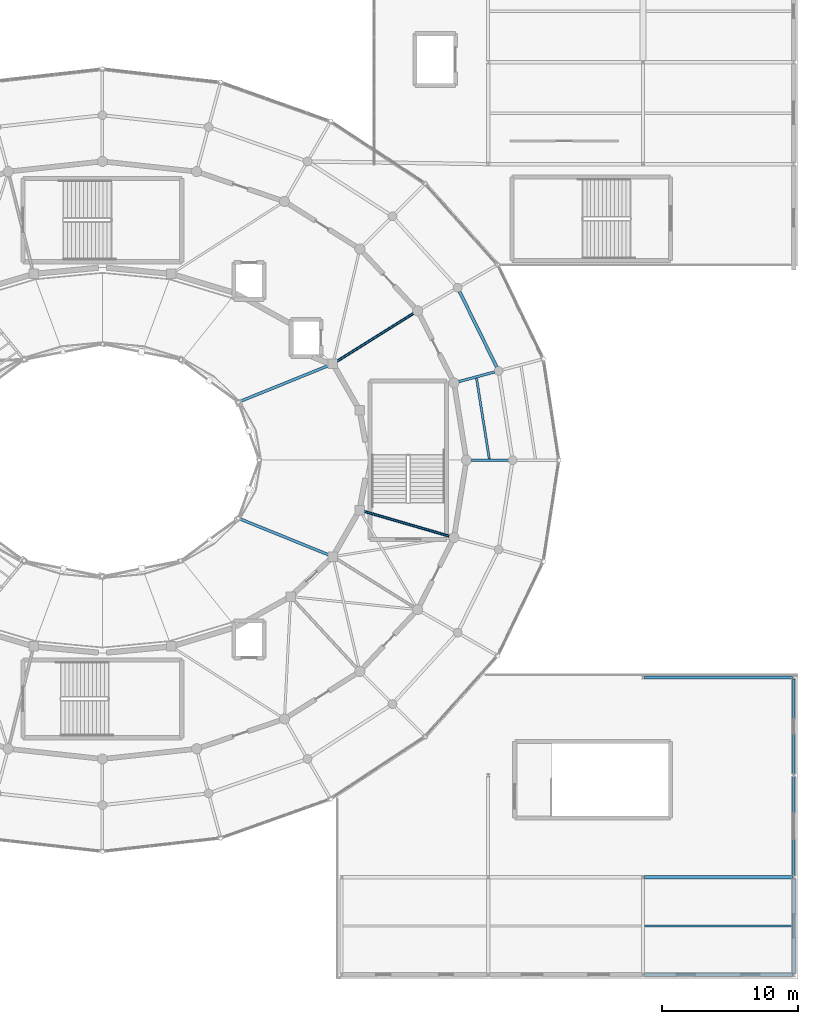
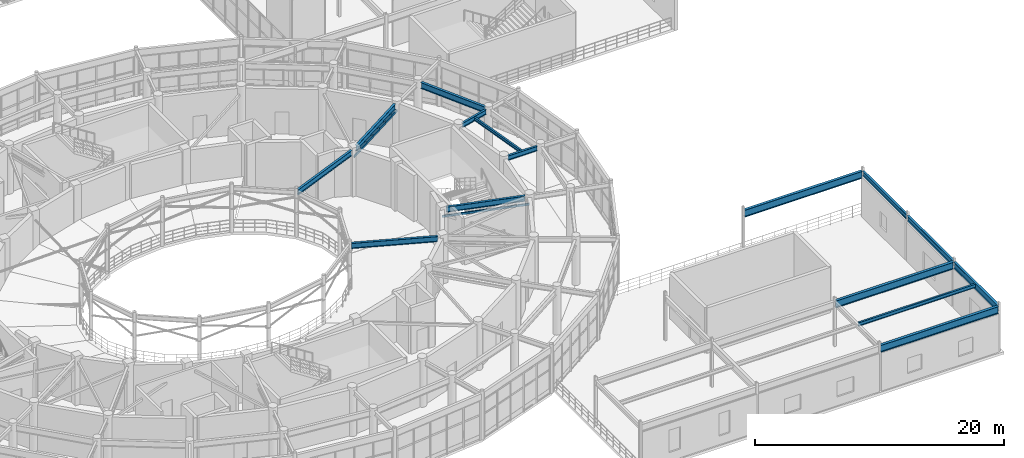
# One storey, part 73 of 144: 15 beams, 2 members.
"""IFC4 building model written with IfcOpenShell, lengths in metres."""

from ifc_helpers import new_model, si_unit, direction, frame, origin, origin_2d, place, context, subcontext, project, spatial, hollow_rectangle, i_section, extrude, material, material_profile, profile_set, type_object, element, save


model = new_model("IFC4")

# Units and contexts
model_context = context("Model", 3, precision=1e-05, world=origin(), true_north=direction((0.0, 1.0)))
body_context = subcontext(model_context, "Body", "Model", "MODEL_VIEW")
ifc_project = project(units=[si_unit("LENGTHUNIT", "METRE"), si_unit("AREAUNIT", "SQUARE_METRE"), si_unit("VOLUMEUNIT", "CUBIC_METRE"), si_unit("PLANEANGLEUNIT", "RADIAN"), si_unit("MASSUNIT", "GRAM", prefix="KILO")], contexts=[model_context])

# Site, building, storey
site_placement = place(None, origin())
site = spatial("IfcSite", under=ifc_project, at=site_placement, CompositionType="ELEMENT")
building_placement = place(site_placement, origin())
building = spatial("IfcBuilding", under=site, at=building_placement, Name="Cinderbank Siding Concert Hall", CompositionType="ELEMENT")
storey_placement = place(building_placement, frame((0.0, 0.0, 5.39990234375)))
storey = spatial("IfcBuildingStorey", under=building, at=storey_placement, Name="L02", CompositionType="ELEMENT", Elevation=5.39990234375)

# Beams
ifc_material_1 = material(Name="Structural steel AS/NZS 3679.1 Grade 350 (340 MPa)", Category="steel")
ifc_material_profile_1 = material_profile(ifc_material_1, i_section(OverallWidth=0.18994140625, OverallDepth=0.45751953125, WebThickness=0.009033203125, FlangeThickness=0.014404296875, at=origin_2d()), Name="460UB74.6", Category="LoadBearing")
ifc_profile_set_1 = profile_set([ifc_material_profile_1], Name="Structural steel AS/NZS 3679.1 Grade 350 (340 MPa)")
beam_type_1 = type_object("IfcBeamType", Name="BM-UB460 460UB74.6", PredefinedType="BEAM", material=ifc_profile_set_1)
beam_1_placement = place(storey_placement, frame((172.89990234375, 20.89453125, 4.223388671875), z_axis=(0.0, 1.0, 0.0), x_axis=(-1.0, 0.0, 0.0)))
element("IfcBeam", 1, at=beam_1_placement, inside=storey, type_object=beam_type_1, Name="L02 Beam BM-UB460 #1608", PredefinedType="BEAM", context=body_context, shape_type="SweptSolid", body=[
    extrude(i_section(OverallWidth=0.18994140625, OverallDepth=0.45751953125, WebThickness=0.009033203125, FlangeThickness=0.014404296875, at=origin_2d()), origin(), (0.0, 0.0, 1.0), 7.010986328125),
])
ifc_material_profile_2 = material_profile(ifc_material_1, i_section(OverallWidth=0.19091796875, OverallDepth=0.46044921875, WebThickness=0.010009765625, FlangeThickness=0.01611328125, at=origin_2d()), Name="460UB82.1", Category="LoadBearing")
ifc_profile_set_2 = profile_set([ifc_material_profile_2], Name="Structural steel AS/NZS 3679.1 Grade 350 (340 MPa)")
beam_type_2 = type_object("IfcBeamType", Name="BM-UB460H 460UB82.1", PredefinedType="BEAM", material=ifc_profile_set_2)
for number, where, z_axis, x_axis, name in (
    (2, (149.1669921875, 44.0, 4.2919921875), (1.0, 0.0, 0.0), (0.0, 1.0, 0.0), "L02 Beam BM-UB460H #497"),
    (3, (148.2412109375, 49.7890625, 4.2919921875), (0.965934410535, 0.258787006135, 0.0), (-0.258787006135, 0.965934410535, 0.0), "L02 Beam BM-UB460H #498"),
):
    element("IfcBeam", number, at=place(storey_placement, frame(where, z_axis=z_axis, x_axis=x_axis)), inside=storey, type_object=beam_type_2, Name=name, PredefinedType="BEAM", context=body_context, shape_type="SweptSolid", body=[
        extrude(i_section(OverallWidth=0.19091796875, OverallDepth=0.46044921875, WebThickness=0.010009765625, FlangeThickness=0.01611328125, at=origin_2d()), origin(), (0.0, 0.0, 1.0), 2.716064453125),
    ])
ifc_material_profile_3 = material_profile(ifc_material_1, i_section(OverallWidth=0.208984375, OverallDepth=0.5283203125, WebThickness=0.009521484375, FlangeThickness=0.01318359375, at=origin_2d()), Name="530UB82.0", Category="LoadBearing")
ifc_profile_set_3 = profile_set([ifc_material_profile_3], Name="Structural steel AS/NZS 3679.1 Grade 350 (340 MPa)")
beam_type_3 = type_object("IfcBeamType", Name="BM-UB530 530UB82.0", PredefinedType="BEAM", material=ifc_profile_set_3)
for number, where, z_axis, x_axis, name in (
    (4, (132.145263671875, 48.332763671875, 4.258056640625), (0.926787327391, 0.375586541008, 0.0), (-0.375586541008, 0.926787327391, 0.0), "L02 Beam BM-UB530 #164"),
    (5, (132.145263671875, 39.667236328125, 4.258056640625), (0.926787327391, -0.375586541008, 0.0), (0.375586541008, 0.926787327391, 0.0), "L02 Beam BM-UB530 #175"),
):
    element("IfcBeam", number, at=place(storey_placement, frame(where, z_axis=z_axis, x_axis=x_axis)), inside=storey, type_object=beam_type_3, Name=name, PredefinedType="BEAM", context=body_context, shape_type="SweptSolid", body=[
        extrude(i_section(OverallWidth=0.208984375, OverallDepth=0.5283203125, WebThickness=0.009521484375, FlangeThickness=0.01318359375, at=origin_2d()), origin(), (0.0, 0.0, 1.0), 7.026123046875),
    ])
beam_2_placement = place(storey_placement, frame((172.89990234375, 13.39453125, 4.18798828125), z_axis=(0.0, 1.0, 0.0), x_axis=(-1.0, 0.0, 0.0)))
element("IfcBeam", 6, at=beam_2_placement, inside=storey, type_object=beam_type_3, Name="L02 Beam BM-UB530 #1607", PredefinedType="BEAM", context=body_context, shape_type="SweptSolid", body=[
    extrude(i_section(OverallWidth=0.208984375, OverallDepth=0.5283203125, WebThickness=0.009521484375, FlangeThickness=0.01318359375, at=origin_2d()), origin(), (0.0, 0.0, 1.0), 7.31103515625),
])
ifc_material_profile_4 = material_profile(ifc_material_1, i_section(OverallWidth=0.208984375, OverallDepth=0.532958984375, WebThickness=0.01025390625, FlangeThickness=0.015625, at=origin_2d()), Name="530UB92.4", Category="LoadBearing")
ifc_profile_set_4 = profile_set([ifc_material_profile_4], Name="Structural steel AS/NZS 3679.1 Grade 350 (340 MPa)")
beam_type_4 = type_object("IfcBeamType", Name="BM-UB530H 530UB92.4", PredefinedType="BEAM", material=ifc_profile_set_4)
beam_3_placement = place(storey_placement, frame((139.26416015625, 51.281494140625, 4.28564453125), z_axis=(0.84781868984, 0.530286214376, 0.0), x_axis=(-0.530286214376, 0.84781868984, 0.0)))
element("IfcBeam", 7, at=beam_3_placement, inside=storey, type_object=beam_type_4, Name="L02 Beam BM-UB530H #486", PredefinedType="BEAM", context=body_context, shape_type="SweptSolid", body=[
    extrude(i_section(OverallWidth=0.208984375, OverallDepth=0.532958984375, WebThickness=0.01025390625, FlangeThickness=0.015625, at=origin_2d()), origin(), (0.0, 0.0, 1.0), 6.645263671875),
])
beam_4_placement = place(storey_placement, frame((141.260498046875, 40.2294921875, 4.28564453125), z_axis=(0.960350422934, -0.278795740946, 0.0), x_axis=(0.278795740946, 0.960350422934, 0.0)))
element("IfcBeam", 8, at=beam_4_placement, inside=storey, type_object=beam_type_4, Name="L02 Beam BM-UB530H #496", PredefinedType="BEAM", context=body_context, shape_type="SweptSolid", body=[
    extrude(i_section(OverallWidth=0.208984375, OverallDepth=0.532958984375, WebThickness=0.01025390625, FlangeThickness=0.015625, at=origin_2d()), origin(), (0.0, 0.0, 1.0), 6.53271484375),
])
ifc_material_profile_5 = material_profile(ifc_material_1, i_section(OverallWidth=0.22802734375, OverallDepth=0.602294921875, WebThickness=0.010498046875, FlangeThickness=0.014892578125, at=origin_2d()), Name="610UB101", Category="LoadBearing")
ifc_profile_set_5 = profile_set([ifc_material_profile_5], Name="Structural steel AS/NZS 3679.1 Grade 350 (340 MPa)")
beam_type_5 = type_object("IfcBeamType", Name="BM-UB610 610UB101", PredefinedType="BEAM", material=ifc_profile_set_5)
beam_5_placement = place(storey_placement, frame((172.89990234375, 6.194580078125, 4.15087890625), z_axis=(0.0, 1.0, 0.0), x_axis=(-1.0, 0.0, 0.0)))
element("IfcBeam", 9, at=beam_5_placement, inside=storey, type_object=beam_type_5, Name="L02 Beam BM-UB610 #1606", PredefinedType="BEAM", context=body_context, shape_type="SweptSolid", body=[
    extrude(i_section(OverallWidth=0.22802734375, OverallDepth=0.602294921875, WebThickness=0.010498046875, FlangeThickness=0.014892578125, at=origin_2d()), origin(), (0.0, 0.0, 1.0), 7.010986328125),
])
ifc_material_profile_6 = material_profile(ifc_material_1, i_section(OverallWidth=0.22802734375, OverallDepth=0.60693359375, WebThickness=0.01123046875, FlangeThickness=0.017333984375, at=origin_2d()), Name="610UB113", Category="LoadBearing")
ifc_profile_set_6 = profile_set([ifc_material_profile_6], Name="Structural steel AS/NZS 3679.1 Grade 350 (340 MPa)")
beam_type_6 = type_object("IfcBeamType", Name="BM-UB610M 610UB113", PredefinedType="BEAM", material=ifc_profile_set_6)
beam_6_placement = place(storey_placement, frame((151.031005859375, 50.8583984375, 4.218505859375), z_axis=(-0.441813843649, 0.897106753714, 0.0), x_axis=(-0.897106753714, -0.441813843649, 0.0)))
element("IfcBeam", 10, at=beam_6_placement, inside=storey, type_object=beam_type_6, Name="L02 Beam BM-UB610M #441", PredefinedType="BEAM", context=body_context, shape_type="SweptSolid", body=[
    extrude(i_section(OverallWidth=0.22802734375, OverallDepth=0.60693359375, WebThickness=0.01123046875, FlangeThickness=0.017333984375, at=origin_2d()), origin(), (0.0, 0.0, 1.0), 6.194580078125),
])
ifc_material_2 = material(Name="Structural steel welded plate section AS/NZS 3679.2 / AS/NZS 3678 Grade 350 (340 MPa)", Category="steel")
ifc_material_profile_7 = material_profile(ifc_material_2, i_section(OverallWidth=0.25, OverallDepth=0.699951171875, WebThickness=0.010009765625, FlangeThickness=0.01611328125, at=origin_2d()), Name="700WB130", Category="LoadBearing")
ifc_profile_set_7 = profile_set([ifc_material_profile_7], Name="Structural steel welded plate section AS/NZS 3679.2 / AS/NZS 3678 Grade 350 (340 MPa)")
beam_type_7 = type_object("IfcBeamType", Name="BM-WB700 700WB130", PredefinedType="BEAM", material=ifc_profile_set_7)
for number, where, z_axis, x_axis, name in (
    (11, (161.89453125, 6.10009765625, 4.10205078125), (1.0, 0.0, 0.0), (0.0, 1.0, 0.0), "L02 Beam BM-WB700 #1602"),
    (12, (161.89453125, 13.300048828125, 4.10205078125), (1.0, 0.0, 0.0), (0.0, 1.0, 0.0), "L02 Beam BM-WB700 #1604"),
    (13, (161.89453125, 28.0, 4.10205078125), (1.0, 0.0, 0.0), (0.0, 1.0, 0.0), "L02 Beam BM-WB700 #1605"),
):
    element("IfcBeam", number, at=place(storey_placement, frame(where, z_axis=z_axis, x_axis=x_axis)), inside=storey, type_object=beam_type_7, Name=name, PredefinedType="BEAM", context=body_context, shape_type="SweptSolid", body=[
        extrude(i_section(OverallWidth=0.25, OverallDepth=0.699951171875, WebThickness=0.010009765625, FlangeThickness=0.01611328125, at=origin_2d()), origin(), (0.0, 0.0, 1.0), 10.910888671875),
    ])
ifc_material_profile_8 = material_profile(ifc_material_1, i_section(OverallWidth=0.166015625, OverallDepth=0.30712890625, WebThickness=0.006591796875, FlangeThickness=0.01171875, at=origin_2d()), Name="310UB46.2", Category="LoadBearing")
ifc_profile_set_8 = profile_set([ifc_material_profile_8], Name="Structural steel AS/NZS 3679.1 Grade 350 (340 MPa)")
beam_type_8 = type_object("IfcBeamType", Name="JS-UB310H 310UB46.2", PredefinedType="JOIST", material=ifc_profile_set_8)
beam_7_placement = place(storey_placement, frame((150.486083984375, 44.08837890625, 4.368408203125), z_axis=(-0.156365807053, 0.987699212506, 0.0), x_axis=(-0.987699212506, -0.156365807053, 0.0)))
element("IfcBeam", 14, at=beam_7_placement, inside=storey, type_object=beam_type_8, Name="L02 Beam JS-UB310H #499", PredefinedType="JOIST", context=body_context, shape_type="SweptSolid", body=[
    extrude(i_section(OverallWidth=0.166015625, OverallDepth=0.30712890625, WebThickness=0.006591796875, FlangeThickness=0.01171875, at=origin_2d()), origin(), (0.0, 0.0, 1.0), 6.031494140625),
])
ifc_material_profile_9 = material_profile(ifc_material_1, i_section(OverallWidth=0.1708984375, OverallDepth=0.35205078125, WebThickness=0.0068359375, FlangeThickness=0.009765625, at=origin_2d()), Name="360UB44.7", Category="LoadBearing")
ifc_profile_set_9 = profile_set([ifc_material_profile_9], Name="Structural steel AS/NZS 3679.1 Grade 350 (340 MPa)")
beam_type_9 = type_object("IfcBeamType", Name="JS-UB360 360UB44.7", PredefinedType="JOIST", material=ifc_profile_set_9)
beam_8_placement = place(storey_placement, frame((161.886962890625, 9.699951171875, 4.276123046875), z_axis=(1.0, 0.0, 0.0), x_axis=(0.0, 1.0, 0.0)))
element("IfcBeam", 15, at=beam_8_placement, inside=storey, type_object=beam_type_9, Name="L02 Beam JS-UB360 #1689", PredefinedType="JOIST", context=body_context, shape_type="SweptSolid", body=[
    extrude(i_section(OverallWidth=0.1708984375, OverallDepth=0.35205078125, WebThickness=0.0068359375, FlangeThickness=0.009765625, at=origin_2d()), origin(), (0.0, 0.0, 1.0), 10.906982421875),
])

# Members
ifc_material_3 = material(Name="Structural steel hollow section AS/NZS 1163 Grade C350L0 (350 MPa)", Category="steel")
ifc_material_profile_10 = material_profile(ifc_material_3, hollow_rectangle(XDim=0.10009765625, YDim=0.199951171875, WallThickness=0.008056640625, at=origin_2d()), Name="200x100x8.0RHS", Category="LoadBearing")
ifc_profile_set_10 = profile_set([ifc_material_profile_10], Name="Structural steel hollow section AS/NZS 1163 Grade C350L0 (350 MPa)")
member_type = type_object("IfcMemberType", Name="PR-RHS200 200x100x8.0RHS Roof Truss", PredefinedType="PURLIN", material=ifc_profile_set_10)
member_1_placement = place(storey_placement, frame((138.97412109375, 51.10009765625, 3.64013671875), z_axis=(0.847826684568, 0.530273432235, 0.0), x_axis=(-0.530273432235, 0.847826684568, 0.0)))
element("IfcMember", 16, at=member_1_placement, inside=storey, type_object=member_type, Name="L02 Roof Truss Member PR-RHS200 #2211", PredefinedType="PURLIN", context=body_context, shape_type="SweptSolid", body=[
    extrude(hollow_rectangle(XDim=0.10009765625, YDim=0.199951171875, WallThickness=0.008056640625, at=origin_2d()), origin(), (0.0, 0.0, 1.0), 7.3544921875),
])
member_2_placement = place(storey_placement, frame((140.93212890625, 40.32470703125, 3.64013671875), z_axis=(0.960356417746, -0.278775090161, 0.0), x_axis=(0.278775090161, 0.960356417746, 0.0)))
element("IfcMember", 17, at=member_2_placement, inside=storey, type_object=member_type, Name="L02 Roof Truss Member PR-RHS200 #2239", PredefinedType="PURLIN", context=body_context, shape_type="SweptSolid", body=[
    extrude(hollow_rectangle(XDim=0.10009765625, YDim=0.199951171875, WallThickness=0.008056640625, at=origin_2d()), origin(), (0.0, 0.0, 1.0), 7.24169921875),
])

save(model, "model.ifc")
